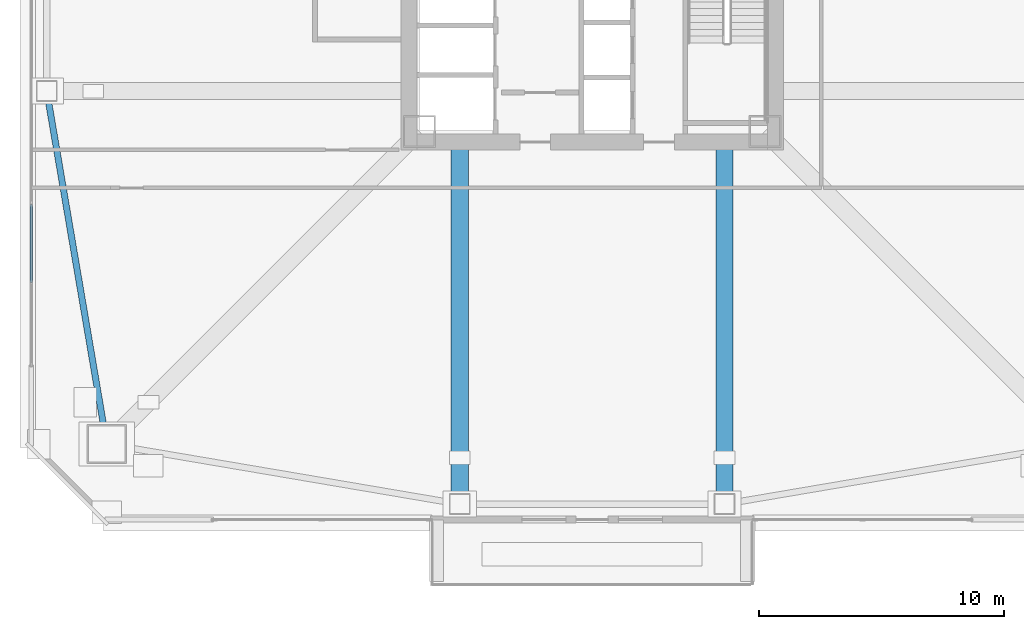
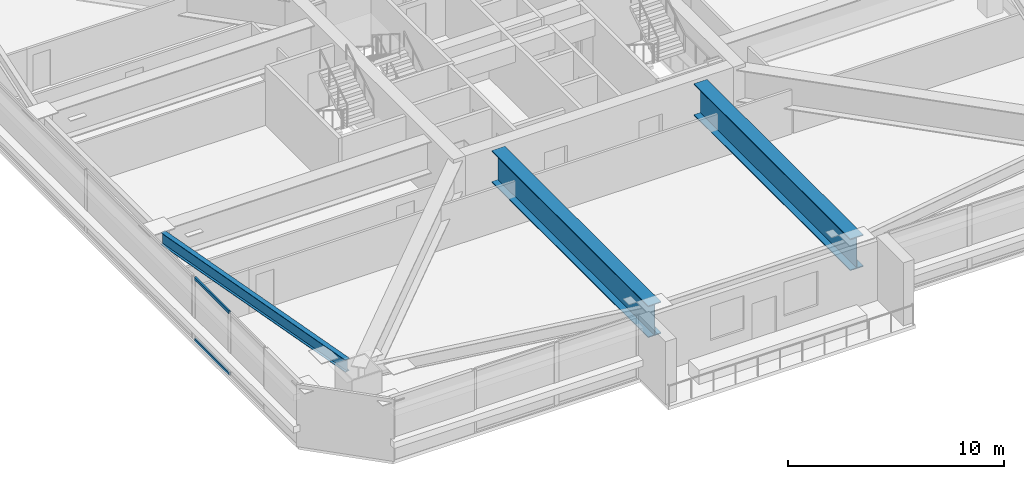
# One storey, part 6 of 48: 3 beams, 2 members, 1 element without a shape of its own.
"""IFC4 building model written with IfcOpenShell, lengths in metres."""

import ifcopenshell
import ifcopenshell.guid

model = None  # the IFC model being written
_history = None  # IfcOwnerHistory: only IFC2X3 demands one
_inside = {}  # id of a spatial element -> (the spatial element, [elements in it])
_under = {}  # id of a project, library or spatial element -> (it, [spatial elements below it])
_declared = {}  # id of a project -> (the project, [libraries it declares])
_typed = {}  # id of a type object -> (the type object, [elements of that type])
_made_of = {}  # id of a material, layer set ... -> (it, [elements and type objects made of it])


def new_model(schema):
    """Start an empty IFC model of exactly this schema.

    Asked for "IFC4X3", IfcOpenShell would pick the latest addendum, in which some entities
    have other attributes; the version numbers below select the first issue.
    IFC2X3 requires an IfcOwnerHistory on every rooted entity: one is made here for all.
    """
    global model, _history
    if schema == "IFC4X3":
        model = ifcopenshell.file(schema_version=(4, 3, 0, 0))
    else:
        model = ifcopenshell.file(schema=schema)
    _inside.clear()
    _under.clear()
    _declared.clear()
    _typed.clear()
    _made_of.clear()
    _history = None
    if model.schema == "IFC2X3":
        org = make("IfcOrganization", Name="unknown")
        user = make(
            "IfcPersonAndOrganization",
            ThePerson=make("IfcPerson", FamilyName="unknown"),
            TheOrganization=org,
        )
        app = make(
            "IfcApplication",
            ApplicationDeveloper=org,
            Version="unknown",
            ApplicationFullName="unknown",
            ApplicationIdentifier="unknown",
        )
        _history = make(
            "IfcOwnerHistory",
            OwningUser=user,
            OwningApplication=app,
            ChangeAction="ADDED",
            CreationDate=0,
        )
    return model


def make(cls, **values):
    """One entity of the class cls with the attributes given. An attribute that is None is left unset."""
    return model.create_entity(
        cls, **{name: value for name, value in values.items() if value is not None}
    )


def rooted(cls, **values):
    """An entity with a GlobalId (a new one), such as an element, a storey or a relation."""
    return make(cls, GlobalId=ifcopenshell.guid.new(), OwnerHistory=_history, **values)


def si_unit(unit_type, name, prefix=None):
    """IfcSIUnit, for example si_unit("LENGTHUNIT", "METRE", prefix="MILLI")."""
    return make("IfcSIUnit", UnitType=unit_type, Prefix=prefix, Name=name)


def assignment(units):
    """IfcUnitAssignment: the units of a project."""
    return None if units is None else make("IfcUnitAssignment", Units=units)


def point(xyz):
    """IfcCartesianPoint."""
    return None if xyz is None else make("IfcCartesianPoint", Coordinates=xyz)


def direction(xyz):
    """IfcDirection."""
    return None if xyz is None else make("IfcDirection", DirectionRatios=xyz)


def frame(location, z_axis=None, x_axis=None):
    """IfcAxis2Placement3D, a coordinate frame: its origin and axes. An axis left out is left unset."""
    return make(
        "IfcAxis2Placement3D",
        Location=point(location),
        Axis=direction(z_axis),
        RefDirection=direction(x_axis),
    )


def frame_2d(location, x_axis=None):
    """IfcAxis2Placement2D, a coordinate frame in the plane: its origin and x axis."""
    return make(
        "IfcAxis2Placement2D", Location=point(location), RefDirection=direction(x_axis)
    )


def origin():
    """The frame at (0, 0, 0) with its axes left unset."""
    return frame((0.0, 0.0, 0.0))


def origin_2d():
    """The frame at (0, 0) in the plane with its x axis left unset."""
    return frame_2d((0.0, 0.0))


def place(relative_to, where):
    """IfcLocalPlacement: puts the frame where relative to a parent placement (None: the world)."""
    return make(
        "IfcLocalPlacement", PlacementRelTo=relative_to, RelativePlacement=where
    )


def context(
    kind, dimensions, precision=None, world=None, true_north=None, identifier=None
):
    """IfcGeometricRepresentationContext, for example the 3D "Model" context."""
    return make(
        "IfcGeometricRepresentationContext",
        ContextIdentifier=identifier,
        ContextType=kind,
        CoordinateSpaceDimension=dimensions,
        Precision=precision,
        WorldCoordinateSystem=world,
        TrueNorth=true_north,
    )


def subcontext(parent, identifier, kind, view, scale=None):
    """IfcGeometricRepresentationSubContext, for example "Body" below "Model"."""
    return make(
        "IfcGeometricRepresentationSubContext",
        ContextIdentifier=identifier,
        ContextType=kind,
        ParentContext=parent,
        TargetScale=scale,
        TargetView=view,
    )


def project(units=None, contexts=None):
    """IfcProject with its units and contexts."""
    return rooted(
        "IfcProject",
        Name="project",
        RepresentationContexts=contexts,
        UnitsInContext=assignment(units),
    )


def spatial(cls, under=None, at=None, **own):
    """A site, building, storey or space (cls), placed at a placement, below another one or the project."""
    s = rooted(cls, ObjectPlacement=at, **own)
    if under is not None:
        _under.setdefault(under.id(), (under, []))[1].append(s)
    return s


def profile(cls, at=None, kind="AREA", **sizes):
    """A parametric profile (cls). Its sizes go by their IFC names, for example OverallWidth=200.0."""
    return make(cls, ProfileType=kind, Position=at, **sizes)


def hollow_rectangle(**sizes):
    """IfcRectangleHollowProfileDef."""
    return profile("IfcRectangleHollowProfileDef", **sizes)


def i_section(**sizes):
    """IfcIShapeProfileDef."""
    return profile("IfcIShapeProfileDef", **sizes)


def extrude(swept, where, along, depth):
    """IfcExtrudedAreaSolid: the profile swept, set in the frame where, extruded along a direction by depth."""
    return make(
        "IfcExtrudedAreaSolid",
        SweptArea=swept,
        Position=where,
        ExtrudedDirection=direction(along),
        Depth=depth,
    )


def shape(context_of_items, identifier, shape_type, items):
    """IfcShapeRepresentation: the items that make up one representation, for example the "Body"."""
    return make(
        "IfcShapeRepresentation",
        ContextOfItems=context_of_items,
        RepresentationIdentifier=identifier,
        RepresentationType=shape_type,
        Items=items,
    )


def material(Name=None, Category=None):
    """IfcMaterial."""
    return make("IfcMaterial", Name=Name, Category=Category)


def material_profile(
    of_material, cross_section, Name=None, Category=None, Priority=None
):
    """IfcMaterialProfile: a cross section and its material."""
    return make(
        "IfcMaterialProfile",
        Name=Name,
        Material=of_material,
        Profile=cross_section,
        Priority=Priority,
        Category=Category,
    )


def profile_set(profiles, Name=None, composite=None):
    """IfcMaterialProfileSet."""
    return make(
        "IfcMaterialProfileSet",
        Name=Name,
        MaterialProfiles=profiles,
        CompositeProfile=composite,
    )


def made_of(thing, what):
    """Note that an element or type object is made of a material, layer set ...; save() writes the relation."""
    if what is not None:
        _made_of.setdefault(what.id(), (what, []))[1].append(thing)
    return thing


def type_object(cls, material=None, **own):
    """A type object (cls), such as IfcWallType, which elements share."""
    return made_of(rooted(cls, **own), material)


def element(
    cls,
    number,
    at=None,
    inside=None,
    cuts=None,
    type_object=None,
    material=None,
    context=None,
    identifier="Body",
    shape_type=None,
    held_by="IfcProductDefinitionShape",
    body=None,
    shapes=None,
    **own,
):
    """One element of the class cls, such as IfcWall. Its Tag is "e" and its number.

    at: its placement. inside: the storey or other place that contains it. cuts: it is an
    opening in that element (IfcRelVoidsElement). A single representation is given by context,
    identifier, shape_type and body (its items); several are given by shapes. held_by: the class
    of the entity that holds the representations. save() writes the other relations.
    """
    e = rooted(cls, Tag="e%d" % number, ObjectPlacement=at, **own)
    if body is not None:
        shapes = [shape(context, identifier, shape_type, body)]
    if shapes is not None:
        e.Representation = make(held_by, Representations=shapes)
    if inside is not None:
        _inside.setdefault(inside.id(), (inside, []))[1].append(e)
    if cuts is not None:
        rooted(
            "IfcRelVoidsElement", RelatingBuildingElement=cuts, RelatedOpeningElement=e
        )
    if type_object is not None:
        _typed.setdefault(type_object.id(), (type_object, []))[1].append(e)
    return made_of(e, material)


def aggregate(whole, parts):
    """IfcRelAggregates: a whole, such as a stair, and the parts it consists of."""
    return rooted("IfcRelAggregates", RelatingObject=whole, RelatedObjects=parts)


def save(model, path):
    """Write the relations noted so far, then the file.

    IfcRelAggregates (storeys below a building ...), IfcRelContainedInSpatialStructure (elements
    in a storey), IfcRelDefinesByType, IfcRelAssociatesMaterial and IfcRelDeclares: one each for
    every whole, place, type object, material and project.
    """
    for whole, parts in _under.values():
        aggregate(whole, parts)
    for where, things in _inside.values():
        rooted(
            "IfcRelContainedInSpatialStructure",
            RelatedElements=things,
            RelatingStructure=where,
        )
    for kind, things in _typed.values():
        rooted("IfcRelDefinesByType", RelatedObjects=things, RelatingType=kind)
    for what, things in _made_of.values():
        rooted("IfcRelAssociatesMaterial", RelatedObjects=things, RelatingMaterial=what)
    for by, libraries in _declared.values():
        rooted("IfcRelDeclares", RelatingContext=by, RelatedDefinitions=libraries)
    model.write(path)


model = new_model("IFC4")

# Units and contexts
model_context = context("Model", 3, precision=1e-05, world=origin(), true_north=direction((0.0, 1.0)))
body_context = subcontext(model_context, "Body", "Model", "MODEL_VIEW")
ifc_project = project(units=[si_unit("LENGTHUNIT", "METRE"), si_unit("AREAUNIT", "SQUARE_METRE"), si_unit("VOLUMEUNIT", "CUBIC_METRE"), si_unit("PLANEANGLEUNIT", "RADIAN"), si_unit("MASSUNIT", "GRAM", prefix="KILO")], contexts=[model_context])

# Site, building, storey
site_placement = place(None, origin())
site = spatial("IfcSite", under=ifc_project, at=site_placement, CompositionType="ELEMENT")
building_placement = place(site_placement, origin())
building = spatial("IfcBuilding", under=site, at=building_placement, Name="Tashvorn Skyway Center", CompositionType="ELEMENT")
storey_placement = place(building_placement, frame((0.0, 0.0, 63.64990234375)))
storey = spatial("IfcBuildingStorey", under=building, at=storey_placement, Name="L16", CompositionType="ELEMENT", Elevation=63.64990234375)

# Beams
ifc_material_1 = material(Name="Steel ASTM A572 Grade 50", Category="steel")
ifc_material_profile_1 = material_profile(ifc_material_1, i_section(OverallWidth=0.699951171875, OverallDepth=1.800048828125, WebThickness=0.031982421875, FlangeThickness=0.050048828125, at=origin_2d()), Name="PG1800x700")
ifc_profile_set_1 = profile_set([ifc_material_profile_1], Name="Steel ASTM A572 Grade 50")
beam_type_1 = type_object("IfcBeamType", Name="BM-BEAM-PG1800x700", PredefinedType="BEAM", material=ifc_profile_set_1)
for number, where, z_axis, x_axis, name in (
    (1, (36.60009765625, 9.75, 2.4501953125), (0.0, 1.0, 0.0), (-1.0, 0.0, 0.0), "Tower 1 L16 Setback Transfer Girder FC-S1"),
    (2, (47.39990234375, 9.75, 2.4501953125), (0.0, 1.0, 0.0), (-1.0, 0.0, 0.0), "Tower 1 L16 Setback Transfer Girder FC-S2"),
):
    element("IfcBeam", number, at=place(storey_placement, frame(where, z_axis=z_axis, x_axis=x_axis)), inside=storey, type_object=beam_type_1, Name=name, PredefinedType="BEAM", context=body_context, shape_type="SweptSolid", body=[
        extrude(i_section(OverallWidth=0.699951171875, OverallDepth=1.800048828125, WebThickness=0.031982421875, FlangeThickness=0.050048828125, at=origin_2d()), origin(), (0.0, 0.0, 1.0), 14.469970703125),
    ])
ifc_material_2 = material(Name="Steel ASTM A992 Grade 50", Category="steel")
ifc_material_profile_2 = material_profile(ifc_material_2, i_section(OverallWidth=0.256103515625, OverallDepth=0.693115234375, WebThickness=0.014404296875, FlangeThickness=0.023681640625, at=origin_2d()), Name="W27X114")
ifc_profile_set_2 = profile_set([ifc_material_profile_2], Name="Steel ASTM A992 Grade 50")
beam_type_2 = type_object("IfcBeamType", Name="BM-SPANDREL-W27X114", PredefinedType="SPANDREL", material=ifc_profile_set_2)
beam_placement = place(storey_placement, frame((19.820556640625, 26.18603515625, 3.003662109375), z_axis=(0.16771792509, -0.985835025551, 0.0), x_axis=(0.985835025551, 0.16771792509, 0.0)))
element("IfcBeam", 3, at=beam_placement, inside=storey, type_object=beam_type_2, Name="Tower 1 L16 Spandrel Beam 12", PredefinedType="SPANDREL", context=body_context, shape_type="SweptSolid", body=[
    extrude(i_section(OverallWidth=0.256103515625, OverallDepth=0.693115234375, WebThickness=0.014404296875, FlangeThickness=0.023681640625, at=origin_2d()), origin(), (0.0, 0.0, 1.0), 13.39208984375),
])

# Curtain wall, members
ifc_material_3 = material(Name="Thermally broken bronze-anodized aluminium 6063-T6", Category="aluminium")
curtain_wall_type = type_object("IfcCurtainWallType", Name="CW-CW-Z1", PredefinedType="NOTDEFINED", material=ifc_material_3)
curtain_wall_placement = place(storey_placement, origin())
curtain_wall = element("IfcCurtainWall", 4, at=curtain_wall_placement, inside=storey, type_object=curtain_wall_type, Name="Tower 1 L16 West Unitised Curtain Wall Glazing Group 1", PredefinedType="NOTDEFINED")
ifc_material_profile_3 = material_profile(ifc_material_3, hollow_rectangle(XDim=0.0849609375, YDim=0.1650390625, WallThickness=0.0048828125, at=origin_2d()), Name="ALU-TRAN-85x165")
ifc_profile_set_3 = profile_set([ifc_material_profile_3], Name="Thermally broken bronze-anodized aluminium 6063-T6")
member_type = type_object("IfcMemberType", Name="CWT-CW-Z1", PredefinedType="USERDEFINED", material=ifc_profile_set_3)
member_1_placement = place(storey_placement, frame((19.1201171875, 18.7890625, 0.04248046875), z_axis=(0.0, 1.0, 0.0), x_axis=(-1.0, 0.0, 0.0)))
member_1 = element("IfcMember", 5, at=member_1_placement, type_object=member_type, Name="CW-Z1 transom 2.1", ObjectType="TRANSOM", PredefinedType="USERDEFINED", context=body_context, shape_type="SweptSolid", body=[
    extrude(hollow_rectangle(XDim=0.0849609375, YDim=0.1650390625, WallThickness=0.0048828125, at=origin_2d()), origin(), (0.0, 0.0, 1.0), 3.18603515625),
])
member_2_placement = place(storey_placement, frame((19.1201171875, 18.7890625, 3.507568359375), z_axis=(0.0, 1.0, 0.0), x_axis=(-1.0, 0.0, 0.0)))
member_2 = element("IfcMember", 6, at=member_2_placement, type_object=member_type, Name="CW-Z1 transom 2.2", ObjectType="TRANSOM", PredefinedType="USERDEFINED", context=body_context, shape_type="SweptSolid", body=[
    extrude(hollow_rectangle(XDim=0.0849609375, YDim=0.1650390625, WallThickness=0.0048828125, at=origin_2d()), origin(), (0.0, 0.0, 1.0), 3.18603515625),
])
aggregate(curtain_wall, [member_1, member_2])

save(model, "model.ifc")
